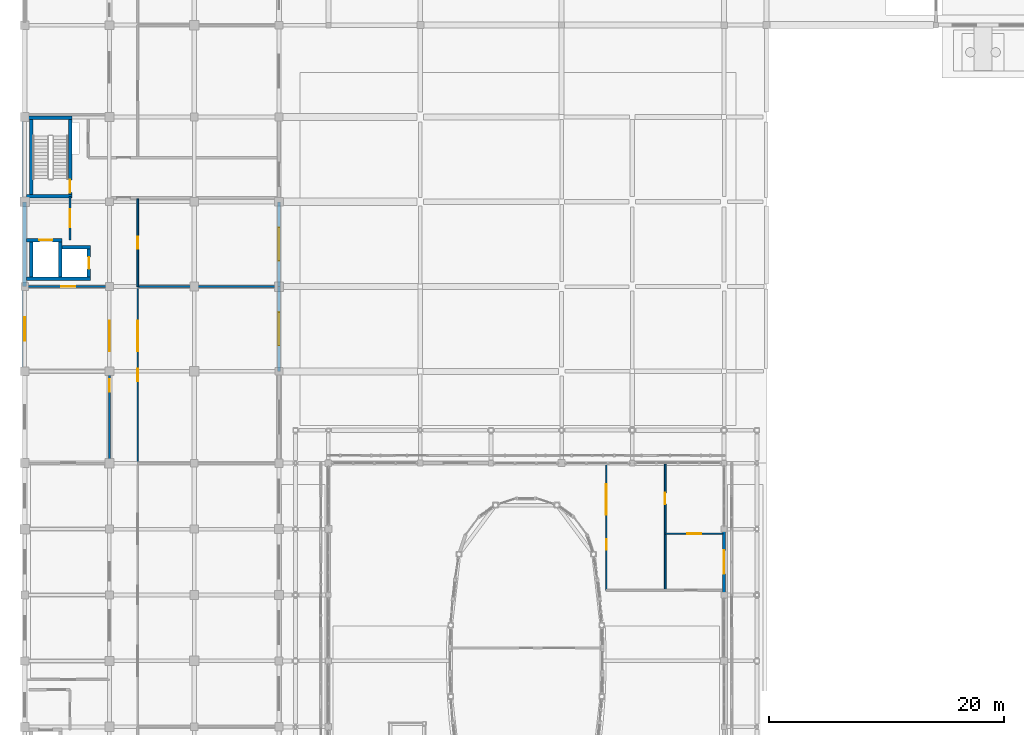
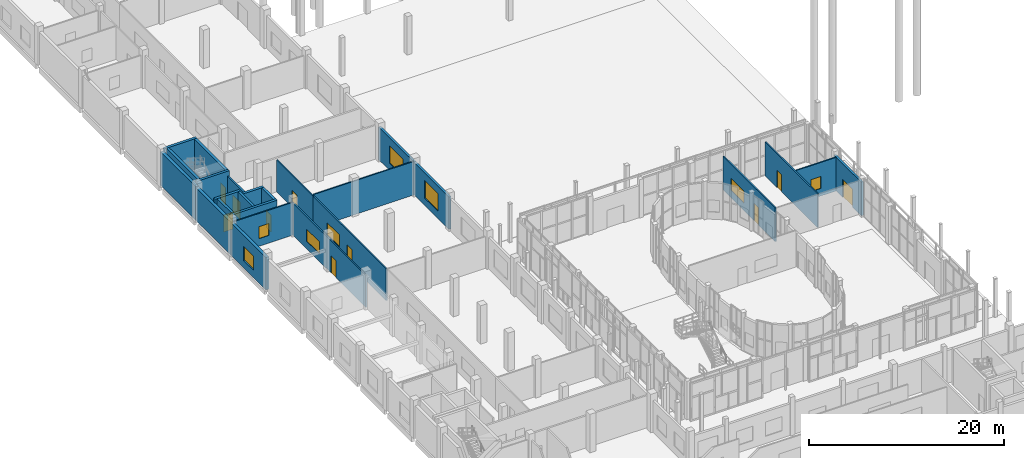
# One storey, part 70 of 91: 25 walls, 10 doors, 8 windows, 18 openings.
"""IFC4 building model written with IfcOpenShell, lengths in metres."""

from ifc_helpers import new_model, si_unit, direction, frame, frame_2d, origin, place, context, subcontext, project, spatial, rectangle, extrude, material, layer, layer_set, type_object, element, fill, save


model = new_model("IFC4")

# Units and contexts
model_context = context("Model", 3, precision=1e-05, world=origin(), true_north=direction((0.0, 1.0)))
body_context = subcontext(model_context, "Body", "Model", "MODEL_VIEW")
ifc_project = project(units=[si_unit("LENGTHUNIT", "METRE"), si_unit("AREAUNIT", "SQUARE_METRE"), si_unit("VOLUMEUNIT", "CUBIC_METRE"), si_unit("PLANEANGLEUNIT", "RADIAN"), si_unit("MASSUNIT", "GRAM", prefix="KILO")], contexts=[model_context])

# Site, building, storey
site_placement = place(None, origin())
site = spatial("IfcSite", under=ifc_project, at=site_placement, CompositionType="ELEMENT")
building_placement = place(site_placement, origin())
building = spatial("IfcBuilding", under=site, at=building_placement, Name="Vinh Khe Railworks Police Headquarters", CompositionType="ELEMENT")
storey_placement = place(building_placement, origin())
storey = spatial("IfcBuildingStorey", under=building, at=storey_placement, Name="L00", CompositionType="ELEMENT", Elevation=0.0)

# Walls
ifc_material_1 = material(Name="Concrete C40/50 (B40)", Category="concrete")
ifc_layer_1 = layer(ifc_material_1, 0.300048828125)
ifc_layer_set_1 = layer_set([ifc_layer_1], Name="Concrete C40/50 (B40)")
wall_type_1 = type_object("IfcWallType", Name="Core Shear Wall 300", PredefinedType="SHEAR", material=ifc_layer_set_1)
for number, where, z_axis, x_axis, name in (
    (1, (0.75, 81.449951171875, 0.0), (0.0, 0.0, 1.0), (1.0, 0.0, 0.0), "Core C2 STAIR-S Shear Wall (L00)"),
    (2, (0.75, 88.14990234375, 0.0), (0.0, 0.0, 1.0), (1.0, 0.0, 0.0), "Core C2 STAIR-N Shear Wall (L00)"),
):
    element("IfcWall", number, at=place(storey_placement, frame(where, z_axis=z_axis, x_axis=x_axis)), inside=storey, type_object=wall_type_1, Name=name, PredefinedType="SHEAR", context=body_context, shape_type="SweptSolid", body=[
        extrude(rectangle(XDim=3.85009765625, YDim=0.300048828125, at=frame_2d((1.925048828125, 0.0))), origin(), (0.0, 0.0, 1.0), 4.56005859375),
    ])
wall_1_placement = place(storey_placement, frame((1.14990234375, 81.60009765625, 0.0), z_axis=(0.0, 0.0, 1.0), x_axis=(0.0, 1.0, 0.0)))
element("IfcWall", 3, at=wall_1_placement, inside=storey, type_object=wall_type_1, Name="Core C2 STAIR-W Shear Wall (L00)", PredefinedType="SHEAR", context=body_context, shape_type="SweptSolid", body=[
    extrude(rectangle(XDim=6.39990234375, YDim=0.300048828125, at=frame_2d((3.199951171875, 0.0))), origin(), (0.0, 0.0, 1.0), 4.56005859375),
])

# Wall, opening, door
wall_2_placement = place(storey_placement, frame((4.449951171875, 81.60009765625, 0.0), z_axis=(0.0, 0.0, 1.0), x_axis=(0.0, 1.0, 0.0)))
wall_2 = element("IfcWall", 4, at=wall_2_placement, inside=storey, type_object=wall_type_1, Name="Core C2 STAIR-E Shear Wall (L00)", PredefinedType="SHEAR", context=body_context, shape_type="SweptSolid", body=[
    extrude(rectangle(XDim=6.39990234375, YDim=0.300048828125, at=frame_2d((3.199951171875, 0.0))), origin(), (0.0, 0.0, 1.0), 4.56005859375),
])
opening_1_placement = place(wall_2_placement, frame((0.169921875, 0.0, 0.0)))
opening_1 = element("IfcOpeningElement", 5, at=opening_1_placement, cuts=wall_2, Name="Opening FD-01", PredefinedType="OPENING", context=body_context, shape_type="SweptSolid", body=[
    extrude(rectangle(XDim=1.10009765625, YDim=2.14990234375, at=frame_2d((0.550048828125, 1.074951171875))), frame((0.0, 0.1650390625, 0.0), z_axis=(0.0, -1.0, 0.0), x_axis=(1.0, 0.0, 0.0)), (0.0, 0.0, 1.0), 0.329833984375),
])
ifc_material_2 = material(Name="Painted galvanised steel", Category="steel")
door_type_1 = type_object("IfcDoorType", Name="FD-1100x2150", OperationType="NOTDEFINED", PredefinedType="DOOR", material=ifc_material_2)
door_1_placement = place(opening_1_placement, frame((1.10009765625, 0.0, 0.0), z_axis=(0.0, 0.0, 1.0), x_axis=(-1.0, 0.0, 0.0)))
door_1 = element("IfcDoor", 6, at=door_1_placement, inside=storey, type_object=door_type_1, Name="Escape Stair ST-02 Fire Door L00", OperationType="SINGLE_SWING_LEFT", OverallHeight=2.14990234375, OverallWidth=1.10009765625, PredefinedType="DOOR", context=body_context, shape_type="SweptSolid", body=[
    extrude(rectangle(XDim=1.10009765625, YDim=2.14990234375, at=frame_2d((0.550048828125, 1.074951171875))), frame((0.0, 0.02490234375, 0.0), z_axis=(0.0, -1.0, 0.0), x_axis=(1.0, 0.0, 0.0)), (0.0, 0.0, 1.0), 0.050048828125),
])
fill(opening_1, door_1)

# Wall
wall_3_placement = place(storey_placement, frame((0.75, 74.449951171875, 0.0), z_axis=(0.0, 0.0, 1.0), x_axis=(1.0, 0.0, 0.0)))
element("IfcWall", 7, at=wall_3_placement, inside=storey, type_object=wall_type_1, Name="Core C2 FL-S Lift Shaft Wall (L00)", PredefinedType="SHEAR", context=body_context, shape_type="SweptSolid", body=[
    extrude(rectangle(XDim=5.449951171875, YDim=0.300048828125, at=frame_2d((2.72509765625, 0.0))), origin(), (0.0, 0.0, 1.0), 4.56005859375),
])

# Wall, opening, door
wall_4_placement = place(storey_placement, frame((0.75, 77.75, 0.0), z_axis=(0.0, 0.0, 1.0), x_axis=(1.0, 0.0, 0.0)))
wall_4 = element("IfcWall", 8, at=wall_4_placement, inside=storey, type_object=wall_type_1, Name="Core C2 FL-N Lift Shaft Wall (L00)", PredefinedType="SHEAR", context=body_context, shape_type="SweptSolid", body=[
    extrude(rectangle(XDim=3.0, YDim=0.300048828125, at=frame_2d((1.5, 0.0))), origin(), (0.0, 0.0, 1.0), 4.56005859375),
])
opening_2_placement = place(wall_4_placement, frame((1.10009765625, 0.0, 0.0)))
opening_2 = element("IfcOpeningElement", 9, at=opening_2_placement, cuts=wall_4, Name="Opening LD-01", PredefinedType="OPENING", context=body_context, shape_type="SweptSolid", body=[
    extrude(rectangle(XDim=1.10009765625, YDim=2.14990234375, at=frame_2d((0.550048828125, 1.074951171875))), frame((0.0, 0.1650390625, 0.0), z_axis=(0.0, -1.0, 0.0), x_axis=(1.0, 0.0, 0.0)), (0.0, 0.0, 1.0), 0.329833984375),
])
door_type_2 = type_object("IfcDoorType", Name="LD-FF-1100", OperationType="SLIDING_TO_LEFT", PredefinedType="DOOR", material=ifc_material_2)
door_2_placement = place(opening_2_placement, origin())
door_2 = element("IfcDoor", 10, at=door_2_placement, inside=storey, type_object=door_type_2, Name="Firefighting Lift Landing Door FL-02 L00", OperationType="SLIDING_TO_LEFT", OverallHeight=2.14990234375, OverallWidth=1.10009765625, PredefinedType="DOOR", context=body_context, shape_type="SweptSolid", body=[
    extrude(rectangle(XDim=1.10009765625, YDim=2.14990234375, at=frame_2d((0.550048828125, 1.074951171875))), frame((0.0, 0.02490234375, 0.0), z_axis=(0.0, -1.0, 0.0), x_axis=(1.0, 0.0, 0.0)), (0.0, 0.0, 1.0), 0.050048828125),
])
fill(opening_2, door_2)

# Walls
wall_5_placement = place(storey_placement, frame((3.75, 77.14990234375, 0.0), z_axis=(0.0, 0.0, 1.0), x_axis=(1.0, 0.0, 0.0)))
element("IfcWall", 11, at=wall_5_placement, inside=storey, type_object=wall_type_1, Name="Core C2 PL-N Lift Shaft Wall (L00)", PredefinedType="SHEAR", context=body_context, shape_type="SweptSolid", body=[
    extrude(rectangle(XDim=2.449951171875, YDim=0.300048828125, at=frame_2d((1.22509765625, 0.0))), origin(), (0.0, 0.0, 1.0), 4.56005859375),
])
for number, where, z_axis, x_axis, name in (
    (12, (1.14990234375, 74.60009765625, 0.0), (0.0, 0.0, 1.0), (0.0, 1.0, 0.0), "Core C2 FL-W Lift Shaft Wall (L00)"),
    (13, (3.60009765625, 74.60009765625, 0.0), (0.0, 0.0, 1.0), (0.0, 1.0, 0.0), "Core C2 LIFT-DIV Lift Shaft Wall (L00)"),
):
    element("IfcWall", number, at=place(storey_placement, frame(where, z_axis=z_axis, x_axis=x_axis)), inside=storey, type_object=wall_type_1, Name=name, PredefinedType="SHEAR", context=body_context, shape_type="SweptSolid", body=[
        extrude(rectangle(XDim=3.0, YDim=0.300048828125, at=frame_2d((1.5, 0.0))), origin(), (0.0, 0.0, 1.0), 4.56005859375),
    ])

# Wall, opening, door
wall_6_placement = place(storey_placement, frame((6.050048828125, 74.60009765625, 0.0), z_axis=(0.0, 0.0, 1.0), x_axis=(0.0, 1.0, 0.0)))
wall_6 = element("IfcWall", 14, at=wall_6_placement, inside=storey, type_object=wall_type_1, Name="Core C2 PL-E Lift Shaft Wall (L00)", PredefinedType="SHEAR", context=body_context, shape_type="SweptSolid", body=[
    extrude(rectangle(XDim=2.39990234375, YDim=0.300048828125, at=frame_2d((1.199951171875, 0.0))), origin(), (0.0, 0.0, 1.0), 4.56005859375),
])
opening_3_placement = place(wall_6_placement, frame((0.699951171875, 0.0, 0.0)))
opening_3 = element("IfcOpeningElement", 15, at=opening_3_placement, cuts=wall_6, Name="Opening LD-02", PredefinedType="OPENING", context=body_context, shape_type="SweptSolid", body=[
    extrude(rectangle(XDim=1.0, YDim=2.14990234375, at=frame_2d((0.5, 1.074951171875))), frame((0.0, 0.1650390625, 0.0), z_axis=(0.0, -1.0, 0.0), x_axis=(1.0, 0.0, 0.0)), (0.0, 0.0, 1.0), 0.329833984375),
])
door_type_3 = type_object("IfcDoorType", Name="LD-PAX-1000", OperationType="SLIDING_TO_RIGHT", PredefinedType="DOOR", material=ifc_material_2)
door_3_placement = place(opening_3_placement, frame((1.0, 0.0, 0.0), z_axis=(0.0, 0.0, 1.0), x_axis=(-1.0, 0.0, 0.0)))
door_3 = element("IfcDoor", 16, at=door_3_placement, inside=storey, type_object=door_type_3, Name="Passenger Lift Landing Door PL-02 L00", OperationType="SLIDING_TO_RIGHT", OverallHeight=2.14990234375, OverallWidth=1.0, PredefinedType="DOOR", context=body_context, shape_type="SweptSolid", body=[
    extrude(rectangle(XDim=1.0, YDim=2.14990234375, at=frame_2d((0.5, 1.074951171875))), frame((0.0, 0.02490234375, 0.0), z_axis=(0.0, -1.0, 0.0), x_axis=(1.0, 0.0, 0.0)), (0.0, 0.0, 1.0), 0.050048828125),
])
fill(opening_3, door_3)

# Wall, opening, window
ifc_material_3 = material(Name="Clay brickwork", Category="masonry")
ifc_layer_2 = layer(ifc_material_3, 0.260009765625)
ifc_layer_set_2 = layer_set([ifc_layer_2], Name="Clay brickwork")
wall_type_2 = type_object("IfcWallType", Name="EW-BRK-260", PredefinedType="SOLIDWALL", material=ifc_layer_set_2)
wall_7_placement = place(storey_placement, frame((22.199951171875, 66.60009765625, 0.0), z_axis=(0.0, 0.0, 1.0), x_axis=(0.0, 1.0, 0.0)))
wall_7 = element("IfcWall", 17, at=wall_7_placement, inside=storey, type_object=wall_type_2, Name="Exterior Brick Wall EW-L00-V5E-09", PredefinedType="SOLIDWALL", context=body_context, shape_type="SweptSolid", body=[
    extrude(rectangle(XDim=7.199951171875, YDim=0.260009765625, at=frame_2d((3.60009765625, 0.0))), origin(), (0.0, 0.0, 1.0), 4.054931640625),
])
opening_4_placement = place(wall_7_placement, frame((2.199951171875, 0.0, 0.89990234375)))
opening_4 = element("IfcOpeningElement", 18, at=opening_4_placement, cuts=wall_7, Name="Opening WN-01", PredefinedType="OPENING", context=body_context, shape_type="SweptSolid", body=[
    extrude(rectangle(XDim=2.800048828125, YDim=2.199951171875, at=frame_2d((1.39990234375, 1.10009765625))), frame((0.0, 0.14501953125, 0.0), z_axis=(0.0, -1.0, 0.0), x_axis=(1.0, 0.0, 0.0)), (0.0, 0.0, 1.0), 0.289794921875),
])
ifc_material_4 = material(Name="Double-glazed solar-control glass in dark steel frame", Category="steel")
window_type_1 = type_object("IfcWindowType", Name="WIN-WN-01", PartitioningType="DOUBLE_PANEL_VERTICAL", PredefinedType="WINDOW", material=ifc_material_4)
window_1_placement = place(opening_4_placement, origin())
window_1 = element("IfcWindow", 19, at=window_1_placement, inside=storey, type_object=window_type_1, Name="Casement Window WN-01", OverallHeight=2.199951171875, OverallWidth=2.800048828125, PartitioningType="SINGLE_PANEL", PredefinedType="WINDOW", context=body_context, shape_type="SweptSolid", body=[
    extrude(rectangle(XDim=2.800048828125, YDim=2.199951171875, at=frame_2d((1.39990234375, 1.10009765625))), frame((0.0, 0.030029296875, 0.0), z_axis=(0.0, -1.0, 0.0), x_axis=(1.0, 0.0, 0.0)), (0.0, 0.0, 1.0), 0.06005859375),
])
fill(opening_4, window_1)

wall_8_placement = place(storey_placement, frame((22.199951171875, 73.800048828125, 0.0), z_axis=(0.0, 0.0, 1.0), x_axis=(0.0, 1.0, 0.0)))
wall_8 = element("IfcWall", 20, at=wall_8_placement, inside=storey, type_object=wall_type_2, Name="Exterior Brick Wall EW-L00-V5E-10", PredefinedType="SOLIDWALL", context=body_context, shape_type="SweptSolid", body=[
    extrude(rectangle(XDim=7.199951171875, YDim=0.260009765625, at=frame_2d((3.60009765625, 0.0))), origin(), (0.0, 0.0, 1.0), 4.10498046875),
])
opening_5_placement = place(wall_8_placement, frame((2.199951171875, 0.0, 0.89990234375)))
opening_5 = element("IfcOpeningElement", 21, at=opening_5_placement, cuts=wall_8, Name="Opening WN-01", PredefinedType="OPENING", context=body_context, shape_type="SweptSolid", body=[
    extrude(rectangle(XDim=2.800048828125, YDim=2.199951171875, at=frame_2d((1.39990234375, 1.10009765625))), frame((0.0, 0.14501953125, 0.0), z_axis=(0.0, -1.0, 0.0), x_axis=(1.0, 0.0, 0.0)), (0.0, 0.0, 1.0), 0.289794921875),
])
window_2_placement = place(opening_5_placement, origin())
window_2 = element("IfcWindow", 22, at=window_2_placement, inside=storey, type_object=window_type_1, Name="Casement Window WN-01", OverallHeight=2.199951171875, OverallWidth=2.800048828125, PartitioningType="SINGLE_PANEL", PredefinedType="WINDOW", context=body_context, shape_type="SweptSolid", body=[
    extrude(rectangle(XDim=2.800048828125, YDim=2.199951171875, at=frame_2d((1.39990234375, 1.10009765625))), frame((0.0, 0.030029296875, 0.0), z_axis=(0.0, -1.0, 0.0), x_axis=(1.0, 0.0, 0.0)), (0.0, 0.0, 1.0), 0.06005859375),
])
fill(opening_5, window_2)

# Wall, opening, door
wall_9_placement = place(storey_placement, frame((60.0, 47.60009765625, 0.0), z_axis=(0.0, 0.0, 1.0), x_axis=(0.0, 1.0, 0.0)))
wall_9 = element("IfcWall", 23, at=wall_9_placement, inside=storey, type_object=wall_type_2, Name="Entrance Hall Portal Wall E-5", PredefinedType="SOLIDWALL", context=body_context, shape_type="SweptSolid", body=[
    extrude(rectangle(XDim=5.599853515625, YDim=0.260009765625, at=frame_2d((2.7998046875, 0.0))), origin(), (0.0, 0.0, 1.0), 4.205078125),
])
opening_6_placement = place(wall_9_placement, frame((1.800048828125, 0.0, 0.0)))
opening_6 = element("IfcOpeningElement", 24, at=opening_6_placement, cuts=wall_9, Name="Opening ED-01", PredefinedType="OPENING", context=body_context, shape_type="SweptSolid", body=[
    extrude(rectangle(XDim=2.0, YDim=2.25, at=frame_2d((1.0, 1.125))), frame((0.0, 0.14501953125, 0.0), z_axis=(0.0, -1.0, 0.0), x_axis=(1.0, 0.0, 0.0)), (0.0, 0.0, 1.0), 0.289794921875),
])
ifc_material_5 = material(Name="Dark anodised aluminium and laminated safety glass", Category="aluminium")
door_type_4 = type_object("IfcDoorType", Name="ED-EXIT-2000", OperationType="DOUBLE_DOOR_SINGLE_SWING", PredefinedType="DOOR", material=ifc_material_5)
door_4_placement = place(opening_6_placement, frame((2.0, 0.0, 0.0), z_axis=(0.0, 0.0, 1.0), x_axis=(-1.0, 0.0, 0.0)))
door_4 = element("IfcDoor", 25, at=door_4_placement, inside=storey, type_object=door_type_4, Name="Public Entrance Hall Double Exit Door E-5", OperationType="DOUBLE_DOOR_SINGLE_SWING", OverallHeight=2.25, OverallWidth=2.0, PredefinedType="DOOR", context=body_context, shape_type="SweptSolid", body=[
    extrude(rectangle(XDim=2.0, YDim=2.25, at=frame_2d((1.0, 1.125))), frame((0.0, 0.02490234375, 0.0), z_axis=(0.0, -1.0, 0.0), x_axis=(1.0, 0.0, 0.0)), (0.0, 0.0, 1.0), 0.050048828125),
])
fill(opening_6, door_4)

# Wall, opening, window
ifc_layer_3 = layer(ifc_material_3, 0.340087890625)
ifc_layer_set_3 = layer_set([ifc_layer_3], Name="Clay brickwork")
wall_type_3 = type_object("IfcWallType", Name="EW-BRK-340", PredefinedType="SOLIDWALL", material=ifc_layer_set_3)
wall_10_placement = place(storey_placement, frame((0.60009765625, 66.60009765625, 0.0), z_axis=(0.0, 0.0, 1.0), x_axis=(0.0, 1.0, 0.0)))
wall_10 = element("IfcWall", 26, at=wall_10_placement, inside=storey, type_object=wall_type_3, Name="Exterior Brick Wall EW-L00-V5W-09", PredefinedType="SOLIDWALL", context=body_context, shape_type="SweptSolid", body=[
    extrude(rectangle(XDim=7.199951171875, YDim=0.340087890625, at=frame_2d((3.60009765625, 0.0))), origin(), (0.0, 0.0, 1.0), 4.054931640625),
])
opening_7_placement = place(wall_10_placement, frame((2.60009765625, 0.0, 0.89990234375)))
opening_7 = element("IfcOpeningElement", 27, at=opening_7_placement, cuts=wall_10, Name="Opening WN-04", PredefinedType="OPENING", context=body_context, shape_type="SweptSolid", body=[
    extrude(rectangle(XDim=2.0, YDim=1.800048828125, at=frame_2d((1.0, 0.89990234375))), frame((0.0, 0.18505859375, 0.0), z_axis=(0.0, -1.0, 0.0), x_axis=(1.0, 0.0, 0.0)), (0.0, 0.0, 1.0), 0.369873046875),
])
window_type_2 = type_object("IfcWindowType", Name="WIN-WN-04", PartitioningType="DOUBLE_PANEL_VERTICAL", PredefinedType="WINDOW", material=ifc_material_4)
window_3_placement = place(opening_7_placement, origin())
window_3 = element("IfcWindow", 28, at=window_3_placement, inside=storey, type_object=window_type_2, Name="Casement Window WN-04", OverallHeight=1.800048828125, OverallWidth=2.0, PartitioningType="SINGLE_PANEL", PredefinedType="WINDOW", context=body_context, shape_type="SweptSolid", body=[
    extrude(rectangle(XDim=2.0, YDim=1.800048828125, at=frame_2d((1.0, 0.89990234375))), frame((0.0, 0.030029296875, 0.0), z_axis=(0.0, -1.0, 0.0), x_axis=(1.0, 0.0, 0.0)), (0.0, 0.0, 1.0), 0.06005859375),
])
fill(opening_7, window_3)

# Walls
wall_11_placement = place(storey_placement, frame((0.60009765625, 73.800048828125, 0.0), z_axis=(0.0, 0.0, 1.0), x_axis=(0.0, 1.0, 0.0)))
element("IfcWall", 29, at=wall_11_placement, inside=storey, type_object=wall_type_3, Name="Exterior Brick Wall EW-L00-V5W-10", PredefinedType="SOLIDWALL", context=body_context, shape_type="SweptSolid", body=[
    extrude(rectangle(XDim=7.199951171875, YDim=0.340087890625, at=frame_2d((3.60009765625, 0.0))), origin(), (0.0, 0.0, 1.0), 4.10498046875),
])
wall_12_placement = place(storey_placement, frame((0.60009765625, 81.0, 0.0), z_axis=(0.0, 0.0, 1.0), x_axis=(0.0, 1.0, 0.0)))
element("IfcWall", 30, at=wall_12_placement, inside=storey, type_object=wall_type_3, Name="Exterior Brick Wall EW-L00-V5W-11", PredefinedType="SOLIDWALL", context=body_context, shape_type="SweptSolid", body=[
    extrude(rectangle(XDim=7.199951171875, YDim=0.340087890625, at=frame_2d((3.60009765625, 0.0))), origin(), (0.0, 0.0, 1.0), 4.205078125),
])

# Wall, opening, door
ifc_material_6 = material(Name="Autoclaved aerated concrete blockwork", Category="masonry")
ifc_layer_4 = layer(ifc_material_6, 0.199951171875)
ifc_layer_set_4 = layer_set([ifc_layer_4], Name="Autoclaved aerated concrete blockwork")
wall_type_4 = type_object("IfcWallType", Name="IW-BLK-200", PredefinedType="PARTITIONING", material=ifc_layer_set_4)
wall_13_placement = place(storey_placement, frame((4.449951171875, 77.75, 0.0), z_axis=(0.0, 0.0, 1.0), x_axis=(0.0, 1.0, 0.0)))
wall_13 = element("IfcWall", 31, at=wall_13_placement, inside=storey, type_object=wall_type_4, Name="Interior Partition W-FFL-C2-E-L00", PredefinedType="PARTITIONING", context=body_context, shape_type="SweptSolid", body=[
    extrude(rectangle(XDim=3.699951171875, YDim=0.199951171875, at=frame_2d((1.85009765625, 0.0))), origin(), (0.0, 0.0, 1.0), 3.955078125),
])
opening_8_placement = place(wall_13_placement, frame((1.10009765625, 0.0, 0.0)))
opening_8 = element("IfcOpeningElement", 32, at=opening_8_placement, cuts=wall_13, Name="Opening FD-02", PredefinedType="OPENING", context=body_context, shape_type="SweptSolid", body=[
    extrude(rectangle(XDim=1.5, YDim=2.14990234375, at=frame_2d((0.75, 1.074951171875))), frame((0.0, 0.11474609375, 0.0), z_axis=(0.0, -1.0, 0.0), x_axis=(1.0, 0.0, 0.0)), (0.0, 0.0, 1.0), 0.229736328125),
])
door_type_5 = type_object("IfcDoorType", Name="FD-1500x2150", OperationType="DOUBLE_DOOR_SINGLE_SWING", PredefinedType="DOOR", material=ifc_material_2)
door_5_placement = place(opening_8_placement, origin())
door_5 = element("IfcDoor", 33, at=door_5_placement, inside=storey, type_object=door_type_5, Name="Firefighting Lobby Fire Door", OperationType="DOUBLE_DOOR_SINGLE_SWING", OverallHeight=2.14990234375, OverallWidth=1.5, PredefinedType="DOOR", context=body_context, shape_type="SweptSolid", body=[
    extrude(rectangle(XDim=1.5, YDim=2.14990234375, at=frame_2d((0.75, 1.074951171875))), frame((0.0, 0.02490234375, 0.0), z_axis=(0.0, -1.0, 0.0), x_axis=(1.0, 0.0, 0.0)), (0.0, 0.0, 1.0), 0.050048828125),
])
fill(opening_8, door_5)

# Wall, openings, door, window
ifc_material_7 = material(Name="Gypsum plasterboard on steel stud", Category="steel")
ifc_layer_5 = layer(ifc_material_7, 0.1201171875)
ifc_layer_set_5 = layer_set([ifc_layer_5], Name="Gypsum plasterboard on steel stud")
wall_type_5 = type_object("IfcWallType", Name="IW-PART-120", PredefinedType="PARTITIONING", material=ifc_layer_set_5)
wall_14_placement = place(storey_placement, frame((50.0, 48.0, 0.0), z_axis=(0.0, 0.0, 1.0), x_axis=(0.0, 1.0, 0.0)))
wall_14 = element("IfcWall", 34, at=wall_14_placement, inside=storey, type_object=wall_type_5, Name="Interior Partition W-L00-V1-WCW", PredefinedType="PARTITIONING", context=body_context, shape_type="SweptSolid", body=[
    extrude(rectangle(XDim=10.719970703125, YDim=0.14990234375, at=frame_2d((5.35986328125, 0.0))), origin(), (0.0, 0.0, 1.0), 4.205078125),
])
opening_9_placement = place(wall_14_placement, frame((3.449951171875, 0.0, 0.0)))
opening_9 = element("IfcOpeningElement", 35, at=opening_9_placement, cuts=wall_14, Name="Opening D-04", PredefinedType="OPENING", context=body_context, shape_type="SweptSolid", body=[
    extrude(rectangle(XDim=0.89990234375, YDim=2.14990234375, at=frame_2d((0.449951171875, 1.074951171875))), frame((0.0, 0.08984375, 0.0), z_axis=(0.0, -1.0, 0.0), x_axis=(1.0, 0.0, 0.0)), (0.0, 0.0, 1.0), 0.1796875),
])
opening_10_placement = place(wall_14_placement, frame((6.41845703125, 0.0, 0.949951171875)))
opening_10 = element("IfcOpeningElement", 36, at=opening_10_placement, cuts=wall_14, Name="Opening WN-07", PredefinedType="OPENING", context=body_context, shape_type="SweptSolid", body=[
    extrude(rectangle(XDim=2.60009765625, YDim=1.5, at=frame_2d((1.300048828125, 0.75))), frame((0.0, 0.08984375, 0.0), z_axis=(0.0, -1.0, 0.0), x_axis=(1.0, 0.0, 0.0)), (0.0, 0.0, 1.0), 0.1796875),
])
ifc_material_8 = material(Name="Seasoned hardwood timber", Category="wood")
door_type_6 = type_object("IfcDoorType", Name="ID-900x2150", OperationType="NOTDEFINED", PredefinedType="DOOR", material=ifc_material_8)
door_6_placement = place(opening_9_placement, origin())
door_6 = element("IfcDoor", 37, at=door_6_placement, inside=storey, type_object=door_type_6, Name="Public WC Door", OperationType="SINGLE_SWING_LEFT", OverallHeight=2.14990234375, OverallWidth=0.89990234375, PredefinedType="DOOR", context=body_context, shape_type="SweptSolid", body=[
    extrude(rectangle(XDim=0.89990234375, YDim=2.14990234375, at=frame_2d((0.449951171875, 1.074951171875))), frame((0.0, 0.02490234375, 0.0), z_axis=(0.0, -1.0, 0.0), x_axis=(1.0, 0.0, 0.0)), (0.0, 0.0, 1.0), 0.050048828125),
])
fill(opening_9, door_6)
window_type_3 = type_object("IfcWindowType", Name="WIN-WN-07", PartitioningType="DOUBLE_PANEL_HORIZONTAL", PredefinedType="WINDOW", material=ifc_material_4)
window_4_placement = place(opening_10_placement, origin())
window_4 = element("IfcWindow", 38, at=window_4_placement, inside=storey, type_object=window_type_3, Name="Interior Acoustic Vision Window WN-07", OverallHeight=1.5, OverallWidth=2.60009765625, PartitioningType="SINGLE_PANEL", PredefinedType="WINDOW", context=body_context, shape_type="SweptSolid", body=[
    extrude(rectangle(XDim=2.60009765625, YDim=1.5, at=frame_2d((1.300048828125, 0.75))), frame((0.0, 0.030029296875, 0.0), z_axis=(0.0, -1.0, 0.0), x_axis=(1.0, 0.0, 0.0)), (0.0, 0.0, 1.0), 0.06005859375),
])
fill(opening_10, window_4)

# Wall, opening, door
wall_15_placement = place(storey_placement, frame((55.0, 48.0, 0.0), z_axis=(0.0, 0.0, 1.0), x_axis=(0.0, 1.0, 0.0)))
wall_15 = element("IfcWall", 39, at=wall_15_placement, inside=storey, type_object=wall_type_5, Name="Interior Partition W-L00-V1-WCM", PredefinedType="PARTITIONING", context=body_context, shape_type="SweptSolid", body=[
    extrude(rectangle(XDim=10.719970703125, YDim=0.14990234375, at=frame_2d((5.35986328125, 0.0))), origin(), (0.0, 0.0, 1.0), 4.22509765625),
])
opening_11_placement = place(wall_15_placement, frame((7.324951171875, 0.0, 0.0)))
opening_11 = element("IfcOpeningElement", 40, at=opening_11_placement, cuts=wall_15, Name="Opening D-01", PredefinedType="OPENING", context=body_context, shape_type="SweptSolid", body=[
    extrude(rectangle(XDim=0.949951171875, YDim=2.14990234375, at=frame_2d((0.47509765625, 1.074951171875))), frame((0.0, 0.08984375, 0.0), z_axis=(0.0, -1.0, 0.0), x_axis=(1.0, 0.0, 0.0)), (0.0, 0.0, 1.0), 0.1796875),
])
door_type_7 = type_object("IfcDoorType", Name="ID-950x2150", OperationType="NOTDEFINED", PredefinedType="DOOR", material=ifc_material_8)
door_7_placement = place(opening_11_placement, origin())
door_7 = element("IfcDoor", 41, at=door_7_placement, inside=storey, type_object=door_type_7, Name="Concourse Store Door", OperationType="SINGLE_SWING_LEFT", OverallHeight=2.14990234375, OverallWidth=0.949951171875, PredefinedType="DOOR", context=body_context, shape_type="SweptSolid", body=[
    extrude(rectangle(XDim=0.949951171875, YDim=2.14990234375, at=frame_2d((0.47509765625, 1.074951171875))), frame((0.0, 0.02490234375, 0.0), z_axis=(0.0, -1.0, 0.0), x_axis=(1.0, 0.0, 0.0)), (0.0, 0.0, 1.0), 0.050048828125),
])
fill(opening_11, door_7)

# Wall, opening, window
wall_16_placement = place(storey_placement, frame((55.0, 52.800048828125, 0.0), z_axis=(0.0, 0.0, 1.0), x_axis=(1.0, 0.0, 0.0)))
wall_16 = element("IfcWall", 42, at=wall_16_placement, inside=storey, type_object=wall_type_5, Name="Interior Partition W-L00-V1-AWCN", PredefinedType="PARTITIONING", context=body_context, shape_type="SweptSolid", body=[
    extrude(rectangle(XDim=4.919921875, YDim=0.14990234375, at=frame_2d((2.4599609375, 0.0))), origin(), (0.0, 0.0, 1.0), 4.205078125),
])
opening_12_placement = place(wall_16_placement, frame((1.860107421875, 0.0, 0.949951171875)))
opening_12 = element("IfcOpeningElement", 43, at=opening_12_placement, cuts=wall_16, Name="Opening WN-10", PredefinedType="OPENING", context=body_context, shape_type="SweptSolid", body=[
    extrude(rectangle(XDim=1.199951171875, YDim=1.5, at=frame_2d((0.60009765625, 0.75))), frame((0.0, 0.08984375, 0.0), z_axis=(0.0, -1.0, 0.0), x_axis=(1.0, 0.0, 0.0)), (0.0, 0.0, 1.0), 0.1796875),
])
window_type_4 = type_object("IfcWindowType", Name="WIN-WN-10", PartitioningType="SINGLE_PANEL", PredefinedType="WINDOW", material=ifc_material_4)
window_5_placement = place(opening_12_placement, origin())
window_5 = element("IfcWindow", 44, at=window_5_placement, inside=storey, type_object=window_type_4, Name="Interior Acoustic Vision Window WN-10", OverallHeight=1.5, OverallWidth=1.199951171875, PartitioningType="SINGLE_PANEL", PredefinedType="WINDOW", context=body_context, shape_type="SweptSolid", body=[
    extrude(rectangle(XDim=1.199951171875, YDim=1.5, at=frame_2d((0.60009765625, 0.75))), frame((0.0, 0.030029296875, 0.0), z_axis=(0.0, -1.0, 0.0), x_axis=(1.0, 0.0, 0.0)), (0.0, 0.0, 1.0), 0.06005859375),
])
fill(opening_12, window_5)

wall_17_placement = place(storey_placement, frame((0.780029296875, 73.800048828125, 0.0), z_axis=(0.0, 0.0, 1.0), x_axis=(1.0, 0.0, 0.0)))
wall_17 = element("IfcWall", 45, at=wall_17_placement, inside=storey, type_object=wall_type_5, Name="Interior Partition W-L00-V5-LOCK-ENDN", PredefinedType="PARTITIONING", context=body_context, shape_type="SweptSolid", body=[
    extrude(rectangle(XDim=7.02001953125, YDim=0.14990234375, at=frame_2d((3.510009765625, 0.0))), origin(), (0.0, 0.0, 1.0), 4.10498046875),
])
opening_13_placement = place(wall_17_placement, frame((2.909912109375, 0.0, 0.949951171875)))
opening_13 = element("IfcOpeningElement", 46, at=opening_13_placement, cuts=wall_17, Name="Opening WN-10", PredefinedType="OPENING", context=body_context, shape_type="SweptSolid", body=[
    extrude(rectangle(XDim=1.199951171875, YDim=1.5, at=frame_2d((0.60009765625, 0.75))), frame((0.0, 0.08984375, 0.0), z_axis=(0.0, -1.0, 0.0), x_axis=(1.0, 0.0, 0.0)), (0.0, 0.0, 1.0), 0.1796875),
])
window_6_placement = place(opening_13_placement, origin())
window_6 = element("IfcWindow", 47, at=window_6_placement, inside=storey, type_object=window_type_4, Name="Interior Acoustic Vision Window WN-10", OverallHeight=1.5, OverallWidth=1.199951171875, PartitioningType="SINGLE_PANEL", PredefinedType="WINDOW", context=body_context, shape_type="SweptSolid", body=[
    extrude(rectangle(XDim=1.199951171875, YDim=1.5, at=frame_2d((0.60009765625, 0.75))), frame((0.0, 0.030029296875, 0.0), z_axis=(0.0, -1.0, 0.0), x_axis=(1.0, 0.0, 0.0)), (0.0, 0.0, 1.0), 0.06005859375),
])
fill(opening_13, window_6)

# Wall
wall_18_placement = place(storey_placement, frame((10.199951171875, 73.800048828125, 0.0), z_axis=(0.0, 0.0, 1.0), x_axis=(1.0, 0.0, 0.0)))
element("IfcWall", 48, at=wall_18_placement, inside=storey, type_object=wall_type_5, Name="Interior Partition W-L00-V5-PRESS0S-DIV", PredefinedType="PARTITIONING", context=body_context, shape_type="SweptSolid", body=[
    extrude(rectangle(XDim=11.860107421875, YDim=0.14990234375, at=frame_2d((5.93017578125, 0.0))), origin(), (0.0, 0.0, 1.0), 4.205078125),
])

# Wall, openings, door, window
ifc_material_9 = material(Name="Gypsum plasterboard on acoustic steel stud", Category="steel")
ifc_layer_6 = layer(ifc_material_9, 0.14990234375)
ifc_layer_set_6 = layer_set([ifc_layer_6], Name="Gypsum plasterboard on acoustic steel stud")
wall_type_6 = type_object("IfcWallType", Name="IW-PART-150", PredefinedType="PARTITIONING", material=ifc_layer_set_6)
wall_19_placement = place(storey_placement, frame((7.800048828125, 58.800048828125, 0.0), z_axis=(0.0, 0.0, 1.0), x_axis=(0.0, 1.0, 0.0)))
wall_19 = element("IfcWall", 49, at=wall_19_placement, inside=storey, type_object=wall_type_6, Name="Interior Partition W-L00-V5-LOCK-CW", PredefinedType="PARTITIONING", context=body_context, shape_type="SweptSolid", body=[
    extrude(rectangle(XDim=15.0, YDim=0.14990234375, at=frame_2d((7.5, 0.0))), origin(), (0.0, 0.0, 1.0), 4.0048828125),
])
opening_14_placement = place(wall_19_placement, frame((6.074951171875, 0.0, 0.0)))
opening_14 = element("IfcOpeningElement", 50, at=opening_14_placement, cuts=wall_19, Name="Opening D-02", PredefinedType="OPENING", context=body_context, shape_type="SweptSolid", body=[
    extrude(rectangle(XDim=1.050048828125, YDim=2.14990234375, at=frame_2d((0.52490234375, 1.074951171875))), frame((0.0, 0.08984375, 0.0), z_axis=(0.0, -1.0, 0.0), x_axis=(1.0, 0.0, 0.0)), (0.0, 0.0, 1.0), 0.1796875),
])
opening_15_placement = place(wall_19_placement, frame((9.5, 0.0, 0.949951171875)))
opening_15 = element("IfcOpeningElement", 51, at=opening_15_placement, cuts=wall_19, Name="Opening WN-07", PredefinedType="OPENING", context=body_context, shape_type="SweptSolid", body=[
    extrude(rectangle(XDim=2.60009765625, YDim=1.5, at=frame_2d((1.300048828125, 0.75))), frame((0.0, 0.08984375, 0.0), z_axis=(0.0, -1.0, 0.0), x_axis=(1.0, 0.0, 0.0)), (0.0, 0.0, 1.0), 0.1796875),
])
door_type_8 = type_object("IfcDoorType", Name="ID-1050x2150", OperationType="NOTDEFINED", PredefinedType="DOOR", material=ifc_material_8)
door_8_placement = place(opening_14_placement, origin())
door_8 = element("IfcDoor", 52, at=door_8_placement, inside=storey, type_object=door_type_8, Name="Officer Kit and Locker Room Door", OperationType="SINGLE_SWING_RIGHT", OverallHeight=2.14990234375, OverallWidth=1.050048828125, PredefinedType="DOOR", context=body_context, shape_type="SweptSolid", body=[
    extrude(rectangle(XDim=1.050048828125, YDim=2.14990234375, at=frame_2d((0.52490234375, 1.074951171875))), frame((0.0, 0.02490234375, 0.0), z_axis=(0.0, -1.0, 0.0), x_axis=(1.0, 0.0, 0.0)), (0.0, 0.0, 1.0), 0.050048828125),
])
fill(opening_14, door_8)
window_7_placement = place(opening_15_placement, origin())
window_7 = element("IfcWindow", 53, at=window_7_placement, inside=storey, type_object=window_type_3, Name="Interior Acoustic Vision Window WN-07", OverallHeight=1.5, OverallWidth=2.60009765625, PartitioningType="SINGLE_PANEL", PredefinedType="WINDOW", context=body_context, shape_type="SweptSolid", body=[
    extrude(rectangle(XDim=2.60009765625, YDim=1.5, at=frame_2d((1.300048828125, 0.75))), frame((0.0, 0.030029296875, 0.0), z_axis=(0.0, -1.0, 0.0), x_axis=(1.0, 0.0, 0.0)), (0.0, 0.0, 1.0), 0.06005859375),
])
fill(opening_15, window_7)

wall_20_placement = place(storey_placement, frame((10.199951171875, 58.800048828125, 0.0), z_axis=(0.0, 0.0, 1.0), x_axis=(0.0, 1.0, 0.0)))
wall_20 = element("IfcWall", 54, at=wall_20_placement, inside=storey, type_object=wall_type_6, Name="Interior Partition W-L00-V5-LOST-CE", PredefinedType="PARTITIONING", context=body_context, shape_type="SweptSolid", body=[
    extrude(rectangle(XDim=15.0, YDim=0.14990234375, at=frame_2d((7.5, 0.0))), origin(), (0.0, 0.0, 1.0), 4.0048828125),
])
opening_16_placement = place(wall_20_placement, frame((6.97509765625, 0.0, 0.0)))
opening_16 = element("IfcOpeningElement", 55, at=opening_16_placement, cuts=wall_20, Name="Opening D-02", PredefinedType="OPENING", context=body_context, shape_type="SweptSolid", body=[
    extrude(rectangle(XDim=1.050048828125, YDim=2.14990234375, at=frame_2d((0.52490234375, 1.074951171875))), frame((0.0, 0.08984375, 0.0), z_axis=(0.0, -1.0, 0.0), x_axis=(1.0, 0.0, 0.0)), (0.0, 0.0, 1.0), 0.1796875),
])
opening_17_placement = place(wall_20_placement, frame((9.5, 0.0, 0.949951171875)))
opening_17 = element("IfcOpeningElement", 56, at=opening_17_placement, cuts=wall_20, Name="Opening WN-07", PredefinedType="OPENING", context=body_context, shape_type="SweptSolid", body=[
    extrude(rectangle(XDim=2.60009765625, YDim=1.5, at=frame_2d((1.300048828125, 0.75))), frame((0.0, 0.08984375, 0.0), z_axis=(0.0, -1.0, 0.0), x_axis=(1.0, 0.0, 0.0)), (0.0, 0.0, 1.0), 0.1796875),
])
door_9_placement = place(opening_16_placement, origin())
door_9 = element("IfcDoor", 57, at=door_9_placement, inside=storey, type_object=door_type_8, Name="Lost Property and Records Counter Door", OperationType="SINGLE_SWING_LEFT", OverallHeight=2.14990234375, OverallWidth=1.050048828125, PredefinedType="DOOR", context=body_context, shape_type="SweptSolid", body=[
    extrude(rectangle(XDim=1.050048828125, YDim=2.14990234375, at=frame_2d((0.52490234375, 1.074951171875))), frame((0.0, 0.02490234375, 0.0), z_axis=(0.0, -1.0, 0.0), x_axis=(1.0, 0.0, 0.0)), (0.0, 0.0, 1.0), 0.050048828125),
])
fill(opening_16, door_9)
window_8_placement = place(opening_17_placement, origin())
window_8 = element("IfcWindow", 58, at=window_8_placement, inside=storey, type_object=window_type_3, Name="Interior Acoustic Vision Window WN-07", OverallHeight=1.5, OverallWidth=2.60009765625, PartitioningType="SINGLE_PANEL", PredefinedType="WINDOW", context=body_context, shape_type="SweptSolid", body=[
    extrude(rectangle(XDim=2.60009765625, YDim=1.5, at=frame_2d((1.300048828125, 0.75))), frame((0.0, 0.030029296875, 0.0), z_axis=(0.0, -1.0, 0.0), x_axis=(1.0, 0.0, 0.0)), (0.0, 0.0, 1.0), 0.06005859375),
])
fill(opening_17, window_8)

# Wall, opening, door
wall_21_placement = place(storey_placement, frame((10.199951171875, 73.800048828125, 0.0), z_axis=(0.0, 0.0, 1.0), x_axis=(0.0, 1.0, 0.0)))
wall_21 = element("IfcWall", 59, at=wall_21_placement, inside=storey, type_object=wall_type_6, Name="Interior Partition W-L00-V5-PRESS0S-CE", PredefinedType="PARTITIONING", context=body_context, shape_type="SweptSolid", body=[
    extrude(rectangle(XDim=7.449951171875, YDim=0.14990234375, at=frame_2d((3.72509765625, 0.0))), origin(), (0.0, 0.0, 1.0), 4.0048828125),
])
opening_18_placement = place(wall_21_placement, frame((3.199951171875, 0.0, 0.0)))
opening_18 = element("IfcOpeningElement", 60, at=opening_18_placement, cuts=wall_21, Name="Opening D-02", PredefinedType="OPENING", context=body_context, shape_type="SweptSolid", body=[
    extrude(rectangle(XDim=1.050048828125, YDim=2.14990234375, at=frame_2d((0.52490234375, 1.074951171875))), frame((0.0, 0.08984375, 0.0), z_axis=(0.0, -1.0, 0.0), x_axis=(1.0, 0.0, 0.0)), (0.0, 0.0, 1.0), 0.1796875),
])
door_10_placement = place(opening_18_placement, origin())
door_10 = element("IfcDoor", 61, at=door_10_placement, inside=storey, type_object=door_type_8, Name="Community Safety Seminar South Door", OperationType="SINGLE_SWING_RIGHT", OverallHeight=2.14990234375, OverallWidth=1.050048828125, PredefinedType="DOOR", context=body_context, shape_type="SweptSolid", body=[
    extrude(rectangle(XDim=1.050048828125, YDim=2.14990234375, at=frame_2d((0.52490234375, 1.074951171875))), frame((0.0, 0.02490234375, 0.0), z_axis=(0.0, -1.0, 0.0), x_axis=(1.0, 0.0, 0.0)), (0.0, 0.0, 1.0), 0.050048828125),
])
fill(opening_18, door_10)

save(model, "model.ifc")
